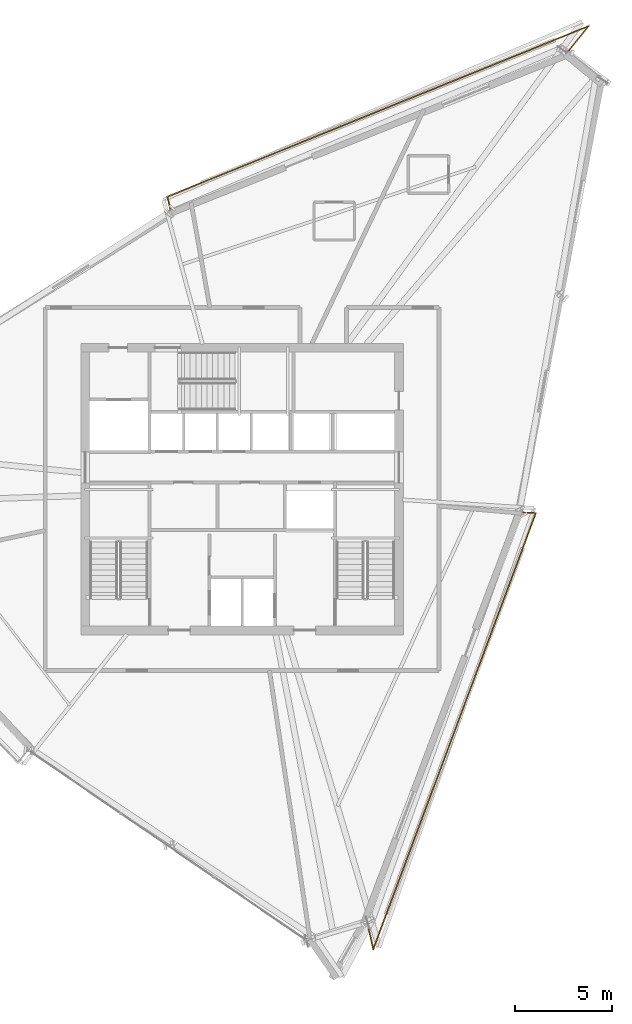
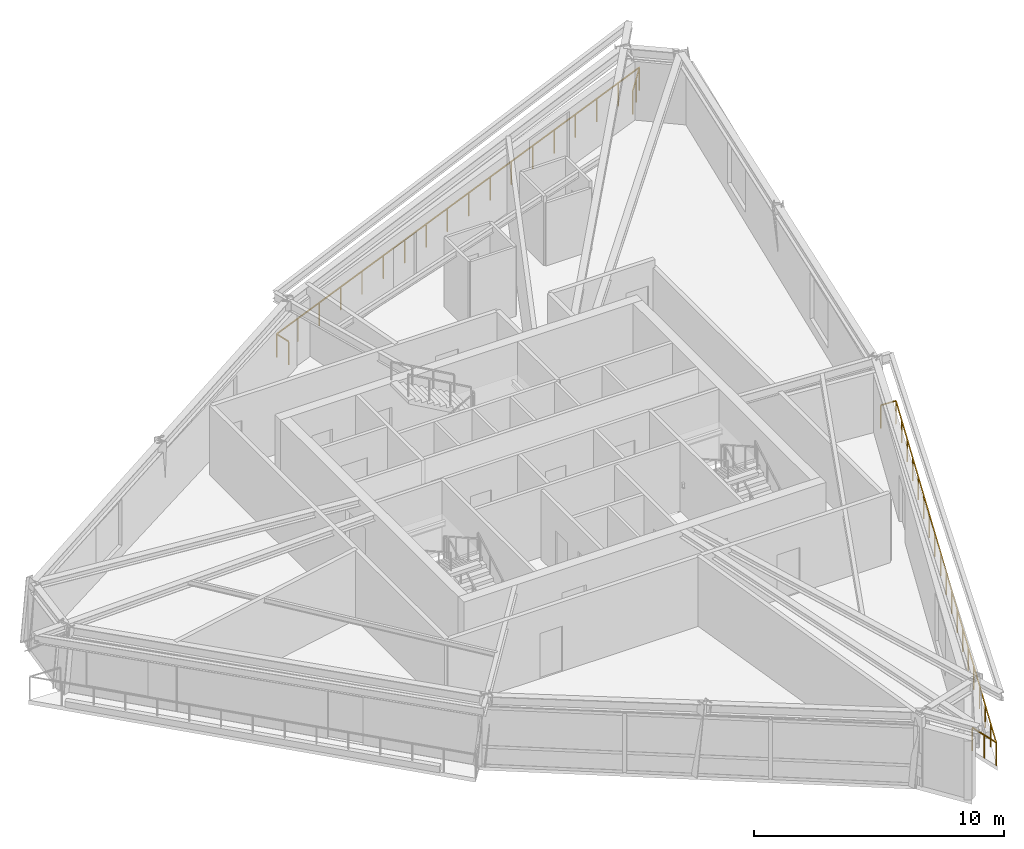
# One storey, part 13 of 13: 2 railings.
"""IFC4 building model written with IfcOpenShell, lengths in metres."""

from ifc_helpers import new_model, si_unit, direction, frame, origin, origin_2d, place, context, subcontext, project, spatial, rectangle, extrude, material, type_object, element, save


model = new_model("IFC4")

# Units and contexts
model_context = context("Model", 3, precision=1e-05, world=origin(), true_north=direction((0.0, 1.0)))
body_context = subcontext(model_context, "Body", "Model", "MODEL_VIEW")
ifc_project = project(units=[si_unit("LENGTHUNIT", "METRE"), si_unit("AREAUNIT", "SQUARE_METRE"), si_unit("VOLUMEUNIT", "CUBIC_METRE"), si_unit("PLANEANGLEUNIT", "RADIAN"), si_unit("MASSUNIT", "GRAM", prefix="KILO")], contexts=[model_context])

# Site, building, storey
site_placement = place(None, origin())
site = spatial("IfcSite", under=ifc_project, at=site_placement, CompositionType="ELEMENT")
building_placement = place(site_placement, origin())
building = spatial("IfcBuilding", under=site, at=building_placement, Name="Olszyna Solenne Hotel", CompositionType="ELEMENT")
storey_placement = place(building_placement, frame((0.0, 0.0, 241.699951171875)))
storey = spatial("IfcBuildingStorey", under=building, at=storey_placement, Name="L64", CompositionType="ELEMENT", Elevation=241.699951171875)

# Railings
ifc_material = material(Name="Anodised bronze aluminium", Category="aluminium")
railing_type = type_object("IfcRailingType", Name="GR-110", PredefinedType="BALUSTRADE", material=ifc_material)
railing_1_placement = place(storey_placement, frame((54.888916015625, 49.278564453125, 0.0)))
element("IfcRailing", 1, at=railing_1_placement, inside=storey, type_object=railing_type, Name="Loggia balcony balustrade guard GR-L64-LG1", PredefinedType="BALUSTRADE", context=body_context, shape_type="SweptSolid", body=[
    extrude(rectangle(XDim=0.048095703125, YDim=0.048095703125, at=origin_2d()), frame((0.0, 0.0, 1.1259765625), z_axis=(0.631656889839, 0.775248072245, 0.0), x_axis=(-0.775248072245, 0.631656889839, 0.0)), (0.0, 0.0, 1.0), 1.691650390625),
    extrude(rectangle(XDim=0.048095703125, YDim=0.048095703125, at=origin_2d()), frame((1.068603515625, 1.3115234375, 1.1259765625), z_axis=(-0.926920289768, -0.375258279611, 0.0), x_axis=(0.375258279611, -0.926920289768, 0.0)), (0.0, 0.0, 1.0), 23.55419921875),
    extrude(rectangle(XDim=0.048095703125, YDim=0.048095703125, at=origin_2d()), frame((-20.76416015625, -7.52734375, 1.1259765625), z_axis=(0.217513478336, -0.976057317345, 0.0), x_axis=(0.976057317345, 0.217513478336, 0.0)), (0.0, 0.0, 1.0), 0.70947265625),
    extrude(rectangle(XDim=0.0419921875, YDim=0.0419921875, at=origin_2d()), origin(), (0.0, 0.0, 1.0), 1.101806640625),
    extrude(rectangle(XDim=0.0419921875, YDim=0.0419921875, at=origin_2d()), frame((0.5341796875, 0.65576171875, 0.0)), (0.0, 0.0, 1.0), 1.101806640625),
    extrude(rectangle(XDim=0.0419921875, YDim=0.0419921875, at=origin_2d()), frame((1.068603515625, 1.3115234375, 0.0)), (0.0, 0.0, 1.0), 1.101806640625),
    extrude(rectangle(XDim=0.0419921875, YDim=0.0419921875, at=origin_2d()), frame((-0.215576171875, 0.79150390625, 0.0)), (0.0, 0.0, 1.0), 1.101806640625),
    extrude(rectangle(XDim=0.0419921875, YDim=0.0419921875, at=origin_2d()), frame((-1.5, 0.271728515625, 0.0)), (0.0, 0.0, 1.0), 1.101806640625),
    extrude(rectangle(XDim=0.0419921875, YDim=0.0419921875, at=origin_2d()), frame((-2.7841796875, -0.248291015625, 0.0)), (0.0, 0.0, 1.0), 1.101806640625),
    extrude(rectangle(XDim=0.0419921875, YDim=0.0419921875, at=origin_2d()), frame((-4.068603515625, -0.768310546875, 0.0)), (0.0, 0.0, 1.0), 1.101806640625),
    extrude(rectangle(XDim=0.0419921875, YDim=0.0419921875, at=origin_2d()), frame((-5.352783203125, -1.2880859375, 0.0)), (0.0, 0.0, 1.0), 1.101806640625),
    extrude(rectangle(XDim=0.0419921875, YDim=0.0419921875, at=origin_2d()), frame((-6.636962890625, -1.80810546875, 0.0)), (0.0, 0.0, 1.0), 1.101806640625),
    extrude(rectangle(XDim=0.0419921875, YDim=0.0419921875, at=origin_2d()), frame((-7.92138671875, -2.328125, 0.0)), (0.0, 0.0, 1.0), 1.101806640625),
    extrude(rectangle(XDim=0.0419921875, YDim=0.0419921875, at=origin_2d()), frame((-9.20556640625, -2.847900390625, 0.0)), (0.0, 0.0, 1.0), 1.101806640625),
    extrude(rectangle(XDim=0.0419921875, YDim=0.0419921875, at=origin_2d()), frame((-10.489990234375, -3.367919921875, 0.0)), (0.0, 0.0, 1.0), 1.101806640625),
    extrude(rectangle(XDim=0.0419921875, YDim=0.0419921875, at=origin_2d()), frame((-11.774169921875, -3.8876953125, 0.0)), (0.0, 0.0, 1.0), 1.101806640625),
    extrude(rectangle(XDim=0.0419921875, YDim=0.0419921875, at=origin_2d()), frame((-13.05859375, -4.40771484375, 0.0)), (0.0, 0.0, 1.0), 1.101806640625),
    extrude(rectangle(XDim=0.0419921875, YDim=0.0419921875, at=origin_2d()), frame((-14.3427734375, -4.927734375, 0.0)), (0.0, 0.0, 1.0), 1.101806640625),
    extrude(rectangle(XDim=0.0419921875, YDim=0.0419921875, at=origin_2d()), frame((-15.626953125, -5.447509765625, 0.0)), (0.0, 0.0, 1.0), 1.101806640625),
    extrude(rectangle(XDim=0.0419921875, YDim=0.0419921875, at=origin_2d()), frame((-16.911376953125, -5.967529296875, 0.0)), (0.0, 0.0, 1.0), 1.101806640625),
    extrude(rectangle(XDim=0.0419921875, YDim=0.0419921875, at=origin_2d()), frame((-18.195556640625, -6.487548828125, 0.0)), (0.0, 0.0, 1.0), 1.101806640625),
    extrude(rectangle(XDim=0.0419921875, YDim=0.0419921875, at=origin_2d()), frame((-19.47998046875, -7.00732421875, 0.0)), (0.0, 0.0, 1.0), 1.101806640625),
    extrude(rectangle(XDim=0.0419921875, YDim=0.0419921875, at=origin_2d()), frame((-20.76416015625, -7.52734375, 0.0)), (0.0, 0.0, 1.0), 1.101806640625),
    extrude(rectangle(XDim=0.0419921875, YDim=0.0419921875, at=origin_2d()), frame((-20.60986328125, -8.2197265625, 0.0)), (0.0, 0.0, 1.0), 1.101806640625),
])
railing_2_placement = place(storey_placement, frame((44.48193359375, 4.135009765625, 0.0)))
element("IfcRailing", 2, at=railing_2_placement, inside=storey, type_object=railing_type, Name="Loggia balcony balustrade guard GR-L64-LG3", PredefinedType="BALUSTRADE", context=body_context, shape_type="SweptSolid", body=[
    extrude(rectangle(XDim=0.048095703125, YDim=0.048095703125, at=origin_2d()), frame((0.0, 0.0, 1.1259765625), z_axis=(0.217386042777, -0.97608570751, 0.0), x_axis=(0.97608570751, 0.217386042777, 0.0)), (0.0, 0.0, 1.0), 1.41845703125),
    extrude(rectangle(XDim=0.048095703125, YDim=0.048095703125, at=origin_2d()), frame((0.308349609375, -1.384521484375, 1.1259765625), z_axis=(0.349381846963, 0.936980429365, 0.0), x_axis=(-0.936980429365, 0.349381846963, 0.0)), (0.0, 0.0, 1.0), 24.12744140625),
    extrude(rectangle(XDim=0.048095703125, YDim=0.048095703125, at=origin_2d()), frame((8.738037109375, 21.222412109375, 1.1259765625), z_axis=(-0.998608033297, 0.052744628487, 0.0), x_axis=(-0.052744628487, -0.998608033297, 0.0)), (0.0, 0.0, 1.0), 0.689697265625),
    extrude(rectangle(XDim=0.0419921875, YDim=0.0419921875, at=origin_2d()), origin(), (0.0, 0.0, 1.0), 1.101806640625),
    extrude(rectangle(XDim=0.0419921875, YDim=0.0419921875, at=origin_2d()), frame((0.154296875, -0.6923828125, 0.0)), (0.0, 0.0, 1.0), 1.101806640625),
    extrude(rectangle(XDim=0.0419921875, YDim=0.0419921875, at=origin_2d()), frame((0.308349609375, -1.384521484375, 0.0)), (0.0, 0.0, 1.0), 1.101806640625),
    extrude(rectangle(XDim=0.0419921875, YDim=0.0419921875, at=origin_2d()), frame((0.776611328125, -0.128662109375, 0.0)), (0.0, 0.0, 1.0), 1.101806640625),
    extrude(rectangle(XDim=0.0419921875, YDim=0.0419921875, at=origin_2d()), frame((1.244873046875, 1.12744140625, 0.0)), (0.0, 0.0, 1.0), 1.101806640625),
    extrude(rectangle(XDim=0.0419921875, YDim=0.0419921875, at=origin_2d()), frame((1.71337890625, 2.38330078125, 0.0)), (0.0, 0.0, 1.0), 1.101806640625),
    extrude(rectangle(XDim=0.0419921875, YDim=0.0419921875, at=origin_2d()), frame((2.181640625, 3.63916015625, 0.0)), (0.0, 0.0, 1.0), 1.101806640625),
    extrude(rectangle(XDim=0.0419921875, YDim=0.0419921875, at=origin_2d()), frame((2.64990234375, 4.895263671875, 0.0)), (0.0, 0.0, 1.0), 1.101806640625),
    extrude(rectangle(XDim=0.0419921875, YDim=0.0419921875, at=origin_2d()), frame((3.1181640625, 6.151123046875, 0.0)), (0.0, 0.0, 1.0), 1.101806640625),
    extrude(rectangle(XDim=0.0419921875, YDim=0.0419921875, at=origin_2d()), frame((3.586669921875, 7.406982421875, 0.0)), (0.0, 0.0, 1.0), 1.101806640625),
    extrude(rectangle(XDim=0.0419921875, YDim=0.0419921875, at=origin_2d()), frame((4.054931640625, 8.6630859375, 0.0)), (0.0, 0.0, 1.0), 1.101806640625),
    extrude(rectangle(XDim=0.0419921875, YDim=0.0419921875, at=origin_2d()), frame((4.523193359375, 9.9189453125, 0.0)), (0.0, 0.0, 1.0), 1.101806640625),
    extrude(rectangle(XDim=0.0419921875, YDim=0.0419921875, at=origin_2d()), frame((4.991455078125, 11.1748046875, 0.0)), (0.0, 0.0, 1.0), 1.101806640625),
    extrude(rectangle(XDim=0.0419921875, YDim=0.0419921875, at=origin_2d()), frame((5.459716796875, 12.430908203125, 0.0)), (0.0, 0.0, 1.0), 1.101806640625),
    extrude(rectangle(XDim=0.0419921875, YDim=0.0419921875, at=origin_2d()), frame((5.92822265625, 13.686767578125, 0.0)), (0.0, 0.0, 1.0), 1.101806640625),
    extrude(rectangle(XDim=0.0419921875, YDim=0.0419921875, at=origin_2d()), frame((6.396484375, 14.942626953125, 0.0)), (0.0, 0.0, 1.0), 1.101806640625),
    extrude(rectangle(XDim=0.0419921875, YDim=0.0419921875, at=origin_2d()), frame((6.86474609375, 16.19873046875, 0.0)), (0.0, 0.0, 1.0), 1.101806640625),
    extrude(rectangle(XDim=0.0419921875, YDim=0.0419921875, at=origin_2d()), frame((7.3330078125, 17.45458984375, 0.0)), (0.0, 0.0, 1.0), 1.101806640625),
    extrude(rectangle(XDim=0.0419921875, YDim=0.0419921875, at=origin_2d()), frame((7.801513671875, 18.71044921875, 0.0)), (0.0, 0.0, 1.0), 1.101806640625),
    extrude(rectangle(XDim=0.0419921875, YDim=0.0419921875, at=origin_2d()), frame((8.269775390625, 19.966552734375, 0.0)), (0.0, 0.0, 1.0), 1.101806640625),
    extrude(rectangle(XDim=0.0419921875, YDim=0.0419921875, at=origin_2d()), frame((8.738037109375, 21.222412109375, 0.0)), (0.0, 0.0, 1.0), 1.101806640625),
    extrude(rectangle(XDim=0.0419921875, YDim=0.0419921875, at=origin_2d()), frame((8.04931640625, 21.2587890625, 0.0)), (0.0, 0.0, 1.0), 1.101806640625),
])

save(model, "model.ifc")
